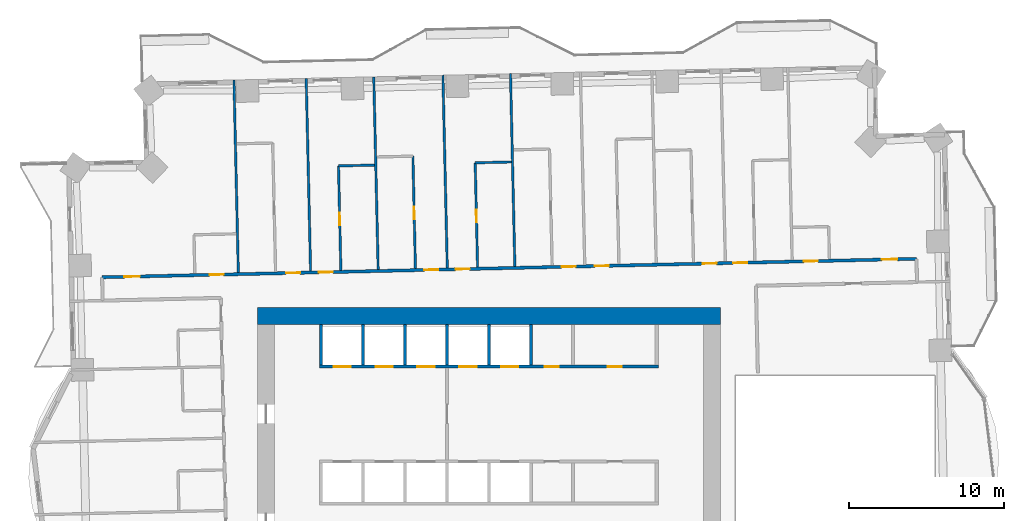
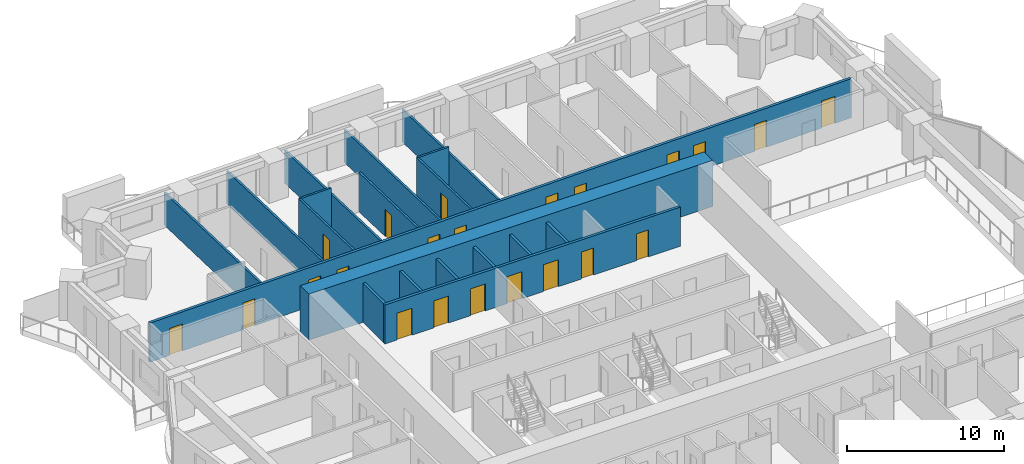
# One storey, part 11 of 17: 22 doors, 19 walls, 22 openings.
"""IFC4 building model written with IfcOpenShell, lengths in metres."""

from ifc_helpers import new_model, si_unit, direction, frame, frame_2d, origin, place, context, subcontext, project, spatial, rectangle, extrude, material, layer, layer_set, type_object, element, fill, save


model = new_model("IFC4")

# Units and contexts
model_context = context("Model", 3, precision=1e-05, world=origin(), true_north=direction((0.0, 1.0)))
body_context = subcontext(model_context, "Body", "Model", "MODEL_VIEW")
ifc_project = project(units=[si_unit("LENGTHUNIT", "METRE"), si_unit("AREAUNIT", "SQUARE_METRE"), si_unit("VOLUMEUNIT", "CUBIC_METRE"), si_unit("PLANEANGLEUNIT", "RADIAN"), si_unit("MASSUNIT", "GRAM", prefix="KILO")], contexts=[model_context])

# Site, building, storey
site_placement = place(None, origin())
site = spatial("IfcSite", under=ifc_project, at=site_placement, CompositionType="ELEMENT")
building_placement = place(site_placement, origin())
building = spatial("IfcBuilding", under=site, at=building_placement, Name="Mangrove Gate Tower", CompositionType="ELEMENT")
storey_placement = place(building_placement, frame((0.0, 0.0, 82.89990234375)))
storey = spatial("IfcBuildingStorey", under=building, at=storey_placement, Name="L20", CompositionType="ELEMENT", Elevation=82.89990234375)

# Wall, openings, doors
ifc_material_1 = material(Name="Concrete C70/85", Category="concrete")
ifc_layer_1 = layer(ifc_material_1, 0.199951171875)
ifc_layer_set_1 = layer_set([ifc_layer_1], Name="Core shaft wall 200 C70/85")
wall_type_1 = type_object("IfcWallType", Name="Core shaft wall 200 C70/85", PredefinedType="SHEAR", material=ifc_layer_set_1)
wall_1_placement = place(storey_placement, frame((-10.89990234375, 8.10009765625, 0.0), z_axis=(0.0, 0.0, 1.0), x_axis=(1.0, 0.0, 0.0)))
wall_1 = element("IfcWall", 1, at=wall_1_placement, inside=storey, type_object=wall_type_1, Name="WALL-L20-CORE-8", PredefinedType="SHEAR", context=body_context, shape_type="SweptSolid", body=[
    extrude(rectangle(XDim=21.7998046875, YDim=0.199951171875, at=frame_2d((10.89990234375, 0.0))), origin(), (0.0, 0.0, 1.0), 3.050048828125),
])
opening_1_placement = place(wall_1_placement, frame((0.89990234375, 0.0, 0.0)))
opening_1 = element("IfcOpeningElement", 2, at=opening_1_placement, cuts=wall_1, Name="Opening LD", PredefinedType="OPENING", context=body_context, shape_type="SweptSolid", body=[
    extrude(rectangle(XDim=1.10009765625, YDim=2.10009765625, at=frame_2d((0.550048828125, 1.050048828125))), frame((0.0, 0.10986328125, 0.0), z_axis=(0.0, -1.0, 0.0), x_axis=(1.0, 0.0, 0.0)), (0.0, 0.0, 1.0), 0.219970703125),
])
opening_2_placement = place(wall_1_placement, frame((3.60009765625, 0.0, 0.0)))
opening_2 = element("IfcOpeningElement", 3, at=opening_2_placement, cuts=wall_1, Name="Opening LD", PredefinedType="OPENING", context=body_context, shape_type="SweptSolid", body=[
    extrude(rectangle(XDim=1.10009765625, YDim=2.10009765625, at=frame_2d((0.550048828125, 1.050048828125))), frame((0.0, 0.10986328125, 0.0), z_axis=(0.0, -1.0, 0.0), x_axis=(1.0, 0.0, 0.0)), (0.0, 0.0, 1.0), 0.219970703125),
])
opening_3_placement = place(wall_1_placement, frame((6.300048828125, 0.0, 0.0)))
opening_3 = element("IfcOpeningElement", 4, at=opening_3_placement, cuts=wall_1, Name="Opening LD", PredefinedType="OPENING", context=body_context, shape_type="SweptSolid", body=[
    extrude(rectangle(XDim=1.10009765625, YDim=2.10009765625, at=frame_2d((0.550048828125, 1.050048828125))), frame((0.0, 0.10986328125, 0.0), z_axis=(0.0, -1.0, 0.0), x_axis=(1.0, 0.0, 0.0)), (0.0, 0.0, 1.0), 0.219970703125),
])
opening_4_placement = place(wall_1_placement, frame((9.0, 0.0, 0.0)))
opening_4 = element("IfcOpeningElement", 5, at=opening_4_placement, cuts=wall_1, Name="Opening LD", PredefinedType="OPENING", context=body_context, shape_type="SweptSolid", body=[
    extrude(rectangle(XDim=1.10009765625, YDim=2.10009765625, at=frame_2d((0.550048828125, 1.050048828125))), frame((0.0, 0.10986328125, 0.0), z_axis=(0.0, -1.0, 0.0), x_axis=(1.0, 0.0, 0.0)), (0.0, 0.0, 1.0), 0.219970703125),
])
opening_5_placement = place(wall_1_placement, frame((11.699951171875, 0.0, 0.0)))
opening_5 = element("IfcOpeningElement", 6, at=opening_5_placement, cuts=wall_1, Name="Opening LD", PredefinedType="OPENING", context=body_context, shape_type="SweptSolid", body=[
    extrude(rectangle(XDim=1.10009765625, YDim=2.10009765625, at=frame_2d((0.550048828125, 1.050048828125))), frame((0.0, 0.10986328125, 0.0), z_axis=(0.0, -1.0, 0.0), x_axis=(1.0, 0.0, 0.0)), (0.0, 0.0, 1.0), 0.219970703125),
])
opening_6_placement = place(wall_1_placement, frame((14.5, 0.0, 0.0)))
opening_6 = element("IfcOpeningElement", 7, at=opening_6_placement, cuts=wall_1, Name="Opening KD", PredefinedType="OPENING", context=body_context, shape_type="SweptSolid", body=[
    extrude(rectangle(XDim=0.89990234375, YDim=2.10009765625, at=frame_2d((0.449951171875, 1.050048828125))), frame((0.0, 0.10986328125, 0.0), z_axis=(0.0, -1.0, 0.0), x_axis=(1.0, 0.0, 0.0)), (0.0, 0.0, 1.0), 0.219970703125),
])
opening_7_placement = place(wall_1_placement, frame((18.550048828125, 0.0, 0.0)))
opening_7 = element("IfcOpeningElement", 8, at=opening_7_placement, cuts=wall_1, Name="Opening RD", PredefinedType="OPENING", context=body_context, shape_type="SweptSolid", body=[
    extrude(rectangle(XDim=0.89990234375, YDim=2.10009765625, at=frame_2d((0.449951171875, 1.050048828125))), frame((0.0, 0.10986328125, 0.0), z_axis=(0.0, -1.0, 0.0), x_axis=(1.0, 0.0, 0.0)), (0.0, 0.0, 1.0), 0.219970703125),
])
ifc_material_2 = material(Name="Fire-rated steel door set", Category="steel")
door_type_1 = type_object("IfcDoorType", Name="Core room door FD30S 900x2100", OperationType="SINGLE_SWING_RIGHT", PredefinedType="DOOR", material=ifc_material_2)
door_1_placement = place(opening_6_placement, origin())
door_1 = element("IfcDoor", 9, at=door_1_placement, inside=storey, type_object=door_type_1, Name="Core room door Linen store", OperationType="SINGLE_SWING_RIGHT", OverallHeight=2.10009765625, OverallWidth=0.89990234375, PredefinedType="DOOR", context=body_context, shape_type="SweptSolid", body=[
    extrude(rectangle(XDim=0.89990234375, YDim=2.10009765625, at=frame_2d((0.449951171875, 1.050048828125))), frame((0.0, 0.02490234375, 0.0), z_axis=(0.0, -1.0, 0.0), x_axis=(1.0, 0.0, 0.0)), (0.0, 0.0, 1.0), 0.050048828125),
])
fill(opening_6, door_1)
ifc_material_3 = material(Name="Stainless steel 316", Category="steel")
door_type_2 = type_object("IfcDoorType", Name="Lift landing door 1100x2100", OperationType="SLIDING_TO_LEFT", PredefinedType="DOOR", material=ifc_material_3)
door_2_placement = place(opening_1_placement, origin())
door_2 = element("IfcDoor", 10, at=door_2_placement, inside=storey, type_object=door_type_2, Name="Landing door LD P06", OperationType="SLIDING_TO_LEFT", OverallHeight=2.10009765625, OverallWidth=1.10009765625, PredefinedType="DOOR", context=body_context, shape_type="SweptSolid", body=[
    extrude(rectangle(XDim=1.10009765625, YDim=2.10009765625, at=frame_2d((0.550048828125, 1.050048828125))), frame((0.0, 0.02490234375, 0.0), z_axis=(0.0, -1.0, 0.0), x_axis=(1.0, 0.0, 0.0)), (0.0, 0.0, 1.0), 0.050048828125),
])
fill(opening_1, door_2)
door_3_placement = place(opening_2_placement, origin())
door_3 = element("IfcDoor", 11, at=door_3_placement, inside=storey, type_object=door_type_2, Name="Landing door LD P07", OperationType="SLIDING_TO_LEFT", OverallHeight=2.10009765625, OverallWidth=1.10009765625, PredefinedType="DOOR", context=body_context, shape_type="SweptSolid", body=[
    extrude(rectangle(XDim=1.10009765625, YDim=2.10009765625, at=frame_2d((0.550048828125, 1.050048828125))), frame((0.0, 0.02490234375, 0.0), z_axis=(0.0, -1.0, 0.0), x_axis=(1.0, 0.0, 0.0)), (0.0, 0.0, 1.0), 0.050048828125),
])
fill(opening_2, door_3)
door_4_placement = place(opening_3_placement, origin())
door_4 = element("IfcDoor", 12, at=door_4_placement, inside=storey, type_object=door_type_2, Name="Landing door LD P08", OperationType="SLIDING_TO_LEFT", OverallHeight=2.10009765625, OverallWidth=1.10009765625, PredefinedType="DOOR", context=body_context, shape_type="SweptSolid", body=[
    extrude(rectangle(XDim=1.10009765625, YDim=2.10009765625, at=frame_2d((0.550048828125, 1.050048828125))), frame((0.0, 0.02490234375, 0.0), z_axis=(0.0, -1.0, 0.0), x_axis=(1.0, 0.0, 0.0)), (0.0, 0.0, 1.0), 0.050048828125),
])
fill(opening_3, door_4)
door_5_placement = place(opening_4_placement, origin())
door_5 = element("IfcDoor", 13, at=door_5_placement, inside=storey, type_object=door_type_2, Name="Landing door LD P09", OperationType="SLIDING_TO_LEFT", OverallHeight=2.10009765625, OverallWidth=1.10009765625, PredefinedType="DOOR", context=body_context, shape_type="SweptSolid", body=[
    extrude(rectangle(XDim=1.10009765625, YDim=2.10009765625, at=frame_2d((0.550048828125, 1.050048828125))), frame((0.0, 0.02490234375, 0.0), z_axis=(0.0, -1.0, 0.0), x_axis=(1.0, 0.0, 0.0)), (0.0, 0.0, 1.0), 0.050048828125),
])
fill(opening_4, door_5)
door_6_placement = place(opening_5_placement, origin())
door_6 = element("IfcDoor", 14, at=door_6_placement, inside=storey, type_object=door_type_2, Name="Landing door LD P10", OperationType="SLIDING_TO_LEFT", OverallHeight=2.10009765625, OverallWidth=1.10009765625, PredefinedType="DOOR", context=body_context, shape_type="SweptSolid", body=[
    extrude(rectangle(XDim=1.10009765625, YDim=2.10009765625, at=frame_2d((0.550048828125, 1.050048828125))), frame((0.0, 0.02490234375, 0.0), z_axis=(0.0, -1.0, 0.0), x_axis=(1.0, 0.0, 0.0)), (0.0, 0.0, 1.0), 0.050048828125),
])
fill(opening_5, door_6)
ifc_material_4 = material(Name="Fire-rated steel door set", Category="steel")
door_type_3 = type_object("IfcDoorType", Name="Riser door FD30S 900x2100", OperationType="SINGLE_SWING_LEFT", PredefinedType="DOOR", material=ifc_material_4)
door_7_placement = place(opening_7_placement, origin())
door_7 = element("IfcDoor", 15, at=door_7_placement, inside=storey, type_object=door_type_3, Name="Riser door Switch room", OperationType="SINGLE_SWING_LEFT", OverallHeight=2.10009765625, OverallWidth=0.89990234375, PredefinedType="DOOR", context=body_context, shape_type="SweptSolid", body=[
    extrude(rectangle(XDim=0.89990234375, YDim=2.10009765625, at=frame_2d((0.449951171875, 1.050048828125))), frame((0.0, 0.02490234375, 0.0), z_axis=(0.0, -1.0, 0.0), x_axis=(1.0, 0.0, 0.0)), (0.0, 0.0, 1.0), 0.050048828125),
])
fill(opening_7, door_7)

# Walls
for number, where, z_axis, x_axis, name in (
    (16, (-10.800048828125, 8.199951171875, 0.0), (0.0, 0.0, 1.0), (0.0, 1.0, 0.0), "WALL-L20-CORE-27"),
    (17, (-8.10009765625, 8.199951171875, 0.0), (0.0, 0.0, 1.0), (0.0, 1.0, 0.0), "WALL-L20-CORE-28"),
    (18, (-5.39990234375, 8.199951171875, 0.0), (0.0, 0.0, 1.0), (0.0, 1.0, 0.0), "WALL-L20-CORE-29"),
    (19, (-2.699951171875, 8.199951171875, 0.0), (0.0, 0.0, 1.0), (0.0, 1.0, 0.0), "WALL-L20-CORE-30"),
    (20, (0.0, 8.199951171875, 0.0), (0.0, 0.0, 1.0), (0.0, 1.0, 0.0), "WALL-L20-CORE-31"),
    (21, (2.699951171875, 8.199951171875, 0.0), (0.0, 0.0, 1.0), (0.0, 1.0, 0.0), "WALL-L20-CORE-32"),
):
    element("IfcWall", number, at=place(storey_placement, frame(where, z_axis=z_axis, x_axis=x_axis)), inside=storey, type_object=wall_type_1, Name=name, PredefinedType="SHEAR", context=body_context, shape_type="SweptSolid", body=[
        extrude(rectangle(XDim=2.60009765625, YDim=0.199951171875, at=frame_2d((1.300048828125, 0.0))), origin(), (0.0, 0.0, 1.0), 3.050048828125),
    ])
ifc_material_5 = material(Name="Concrete C70/85", Category="concrete")
ifc_layer_2 = layer(ifc_material_5, 1.10009765625)
ifc_layer_set_2 = layer_set([ifc_layer_2], Name="Core wall 1100 C70/85")
wall_type_2 = type_object("IfcWallType", Name="Core wall 1100 C70/85", PredefinedType="SHEAR", material=ifc_layer_set_2)
wall_2_placement = place(storey_placement, frame((-14.89990234375, 11.35009765625, 0.0), z_axis=(0.0, 0.0, 1.0), x_axis=(1.0, 0.0, 0.0)))
element("IfcWall", 22, at=wall_2_placement, inside=storey, type_object=wall_type_2, Name="WALL-L20-CORE-2", PredefinedType="SHEAR", context=body_context, shape_type="SweptSolid", body=[
    extrude(rectangle(XDim=29.7998046875, YDim=1.10009765625, at=frame_2d((14.89990234375, 0.0))), origin(), (0.0, 0.0, 1.0), 3.60009765625),
])

# Wall, openings, doors
ifc_material_6 = material(Name="Gypsum board on steel stud, EI 60", Category="steel")
ifc_layer_3 = layer(ifc_material_6, 0.199951171875)
ifc_layer_set_3 = layer_set([ifc_layer_3], Name="Corridor wall EI 60")
wall_type_3 = type_object("IfcWallType", Name="Corridor wall EI 60", PredefinedType="PARTITIONING", material=ifc_layer_set_3)
wall_3_placement = place(storey_placement, frame((-24.89501953125, 13.85205078125, 0.0), z_axis=(0.0, 0.0, 1.0), x_axis=(0.999742765181, 0.02268046447, 0.0)))
wall_3 = element("IfcWall", 23, at=wall_3_placement, inside=storey, type_object=wall_type_3, Name="WALL-L20-061", PredefinedType="PARTITIONING", context=body_context, shape_type="SweptSolid", body=[
    extrude(rectangle(XDim=52.42236328125, YDim=0.199951171875, at=frame_2d((26.211181640625, 0.0))), origin(), (0.0, 0.0, 1.0), 3.050048828125),
])
opening_8_placement = place(wall_3_placement, frame((50.18603515625, 0.0, 0.0)))
opening_8 = element("IfcOpeningElement", 24, at=opening_8_placement, cuts=wall_3, Name="Opening AD", PredefinedType="OPENING", context=body_context, shape_type="SweptSolid", body=[
    extrude(rectangle(XDim=1.0, YDim=2.10009765625, at=frame_2d((0.5, 1.050048828125))), frame((0.0, 0.10986328125, 0.0), z_axis=(0.0, -1.0, 0.0), x_axis=(1.0, 0.0, 0.0)), (0.0, 0.0, 1.0), 0.219970703125),
])
opening_9_placement = place(wall_3_placement, frame((45.175048828125, 0.0, 0.0)))
opening_9 = element("IfcOpeningElement", 25, at=opening_9_placement, cuts=wall_3, Name="Opening SD", PredefinedType="OPENING", context=body_context, shape_type="SweptSolid", body=[
    extrude(rectangle(XDim=0.89990234375, YDim=2.10009765625, at=frame_2d((0.449951171875, 1.050048828125))), frame((0.0, 0.10986328125, 0.0), z_axis=(0.0, -1.0, 0.0), x_axis=(1.0, 0.0, 0.0)), (0.0, 0.0, 1.0), 0.219970703125),
])
opening_10_placement = place(wall_3_placement, frame((40.625, 0.0, 0.0)))
opening_10 = element("IfcOpeningElement", 26, at=opening_10_placement, cuts=wall_3, Name="Opening BD", PredefinedType="OPENING", context=body_context, shape_type="SweptSolid", body=[
    extrude(rectangle(XDim=0.89990234375, YDim=2.10009765625, at=frame_2d((0.449951171875, 1.050048828125))), frame((0.0, 0.10986328125, 0.0), z_axis=(0.0, -1.0, 0.0), x_axis=(1.0, 0.0, 0.0)), (0.0, 0.0, 1.0), 0.219970703125),
])
opening_11_placement = place(wall_3_placement, frame((38.64990234375, 0.0, 0.0)))
opening_11 = element("IfcOpeningElement", 27, at=opening_11_placement, cuts=wall_3, Name="Opening BD", PredefinedType="OPENING", context=body_context, shape_type="SweptSolid", body=[
    extrude(rectangle(XDim=0.89990234375, YDim=2.10009765625, at=frame_2d((0.449951171875, 1.050048828125))), frame((0.0, 0.10986328125, 0.0), z_axis=(0.0, -1.0, 0.0), x_axis=(1.0, 0.0, 0.0)), (0.0, 0.0, 1.0), 0.219970703125),
])
opening_12_placement = place(wall_3_placement, frame((31.72509765625, 0.0, 0.0)))
opening_12 = element("IfcOpeningElement", 28, at=opening_12_placement, cuts=wall_3, Name="Opening BD", PredefinedType="OPENING", context=body_context, shape_type="SweptSolid", body=[
    extrude(rectangle(XDim=0.89990234375, YDim=2.10009765625, at=frame_2d((0.449951171875, 1.050048828125))), frame((0.0, 0.10986328125, 0.0), z_axis=(0.0, -1.0, 0.0), x_axis=(1.0, 0.0, 0.0)), (0.0, 0.0, 1.0), 0.219970703125),
])
opening_13_placement = place(wall_3_placement, frame((29.574951171875, 0.0, 0.0)))
opening_13 = element("IfcOpeningElement", 29, at=opening_13_placement, cuts=wall_3, Name="Opening BD", PredefinedType="OPENING", context=body_context, shape_type="SweptSolid", body=[
    extrude(rectangle(XDim=0.89990234375, YDim=2.10009765625, at=frame_2d((0.449951171875, 1.050048828125))), frame((0.0, 0.10986328125, 0.0), z_axis=(0.0, -1.0, 0.0), x_axis=(1.0, 0.0, 0.0)), (0.0, 0.0, 1.0), 0.219970703125),
])
opening_14_placement = place(wall_3_placement, frame((22.75, 0.0, 0.0)))
opening_14 = element("IfcOpeningElement", 30, at=opening_14_placement, cuts=wall_3, Name="Opening BD", PredefinedType="OPENING", context=body_context, shape_type="SweptSolid", body=[
    extrude(rectangle(XDim=0.89990234375, YDim=2.10009765625, at=frame_2d((0.449951171875, 1.050048828125))), frame((0.0, 0.10986328125, 0.0), z_axis=(0.0, -1.0, 0.0), x_axis=(1.0, 0.0, 0.0)), (0.0, 0.0, 1.0), 0.219970703125),
])
opening_15_placement = place(wall_3_placement, frame((20.75, 0.0, 0.0)))
opening_15 = element("IfcOpeningElement", 31, at=opening_15_placement, cuts=wall_3, Name="Opening BD", PredefinedType="OPENING", context=body_context, shape_type="SweptSolid", body=[
    extrude(rectangle(XDim=0.89990234375, YDim=2.10009765625, at=frame_2d((0.449951171875, 1.050048828125))), frame((0.0, 0.10986328125, 0.0), z_axis=(0.0, -1.0, 0.0), x_axis=(1.0, 0.0, 0.0)), (0.0, 0.0, 1.0), 0.219970703125),
])
opening_16_placement = place(wall_3_placement, frame((13.949951171875, 0.0, 0.0)))
opening_16 = element("IfcOpeningElement", 32, at=opening_16_placement, cuts=wall_3, Name="Opening BD", PredefinedType="OPENING", context=body_context, shape_type="SweptSolid", body=[
    extrude(rectangle(XDim=0.89990234375, YDim=2.10009765625, at=frame_2d((0.449951171875, 1.050048828125))), frame((0.0, 0.10986328125, 0.0), z_axis=(0.0, -1.0, 0.0), x_axis=(1.0, 0.0, 0.0)), (0.0, 0.0, 1.0), 0.219970703125),
])
opening_17_placement = place(wall_3_placement, frame((11.85009765625, 0.0, 0.0)))
opening_17 = element("IfcOpeningElement", 33, at=opening_17_placement, cuts=wall_3, Name="Opening BD", PredefinedType="OPENING", context=body_context, shape_type="SweptSolid", body=[
    extrude(rectangle(XDim=0.89990234375, YDim=2.10009765625, at=frame_2d((0.449951171875, 1.050048828125))), frame((0.0, 0.10986328125, 0.0), z_axis=(0.0, -1.0, 0.0), x_axis=(1.0, 0.0, 0.0)), (0.0, 0.0, 1.0), 0.219970703125),
])
opening_18_placement = place(wall_3_placement, frame((1.425048828125, 0.0, 0.0)))
opening_18 = element("IfcOpeningElement", 34, at=opening_18_placement, cuts=wall_3, Name="Opening AD", PredefinedType="OPENING", context=body_context, shape_type="SweptSolid", body=[
    extrude(rectangle(XDim=1.0, YDim=2.10009765625, at=frame_2d((0.5, 1.050048828125))), frame((0.0, 0.10986328125, 0.0), z_axis=(0.0, -1.0, 0.0), x_axis=(1.0, 0.0, 0.0)), (0.0, 0.0, 1.0), 0.219970703125),
])
opening_19_placement = place(wall_3_placement, frame((6.925048828125, 0.0, 0.0)))
opening_19 = element("IfcOpeningElement", 35, at=opening_19_placement, cuts=wall_3, Name="Opening SD", PredefinedType="OPENING", context=body_context, shape_type="SweptSolid", body=[
    extrude(rectangle(XDim=0.89990234375, YDim=2.10009765625, at=frame_2d((0.449951171875, 1.050048828125))), frame((0.0, 0.10986328125, 0.0), z_axis=(0.0, -1.0, 0.0), x_axis=(1.0, 0.0, 0.0)), (0.0, 0.0, 1.0), 0.219970703125),
])
ifc_material_7 = material(Name="Timber door leaf", Category="wood")
door_type_4 = type_object("IfcDoorType", Name="Amenity door 1000", OperationType="SINGLE_SWING_LEFT", PredefinedType="DOOR", material=ifc_material_7)
door_8_placement = place(opening_8_placement, origin())
door_8 = element("IfcDoor", 36, at=door_8_placement, inside=storey, type_object=door_type_4, Name="DOOR-L20-GAM-c3c", OperationType="SINGLE_SWING_LEFT", OverallHeight=2.10009765625, OverallWidth=1.0, PredefinedType="DOOR", context=body_context, shape_type="SweptSolid", body=[
    extrude(rectangle(XDim=1.0, YDim=2.10009765625, at=frame_2d((0.5, 1.050048828125))), frame((0.0, 0.02490234375, 0.0), z_axis=(0.0, -1.0, 0.0), x_axis=(1.0, 0.0, 0.0)), (0.0, 0.0, 1.0), 0.050048828125),
])
fill(opening_8, door_8)
door_9_placement = place(opening_18_placement, origin())
door_9 = element("IfcDoor", 37, at=door_9_placement, inside=storey, type_object=door_type_4, Name="DOOR-L20-GAM-c5a", OperationType="SINGLE_SWING_RIGHT", OverallHeight=2.10009765625, OverallWidth=1.0, PredefinedType="DOOR", context=body_context, shape_type="SweptSolid", body=[
    extrude(rectangle(XDim=1.0, YDim=2.10009765625, at=frame_2d((0.5, 1.050048828125))), frame((0.0, 0.02490234375, 0.0), z_axis=(0.0, -1.0, 0.0), x_axis=(1.0, 0.0, 0.0)), (0.0, 0.0, 1.0), 0.050048828125),
])
fill(opening_18, door_9)
ifc_material_8 = material(Name="Timber door leaf", Category="wood")
door_type_5 = type_object("IfcDoorType", Name="Bedroom door 900", OperationType="SINGLE_SWING_LEFT", PredefinedType="DOOR", material=ifc_material_8)
door_10_placement = place(opening_10_placement, origin())
door_10 = element("IfcDoor", 38, at=door_10_placement, inside=storey, type_object=door_type_5, Name="DOOR-L20-BED-c309", OperationType="SINGLE_SWING_LEFT", OverallHeight=2.10009765625, OverallWidth=0.89990234375, PredefinedType="DOOR", context=body_context, shape_type="SweptSolid", body=[
    extrude(rectangle(XDim=0.89990234375, YDim=2.10009765625, at=frame_2d((0.449951171875, 1.050048828125))), frame((0.0, 0.02490234375, 0.0), z_axis=(0.0, -1.0, 0.0), x_axis=(1.0, 0.0, 0.0)), (0.0, 0.0, 1.0), 0.050048828125),
])
fill(opening_10, door_10)
door_11_placement = place(opening_11_placement, origin())
door_11 = element("IfcDoor", 39, at=door_11_placement, inside=storey, type_object=door_type_5, Name="DOOR-L20-BED-c310", OperationType="SINGLE_SWING_RIGHT", OverallHeight=2.10009765625, OverallWidth=0.89990234375, PredefinedType="DOOR", context=body_context, shape_type="SweptSolid", body=[
    extrude(rectangle(XDim=0.89990234375, YDim=2.10009765625, at=frame_2d((0.449951171875, 1.050048828125))), frame((0.0, 0.02490234375, 0.0), z_axis=(0.0, -1.0, 0.0), x_axis=(1.0, 0.0, 0.0)), (0.0, 0.0, 1.0), 0.050048828125),
])
fill(opening_11, door_11)
door_12_placement = place(opening_12_placement, origin())
door_12 = element("IfcDoor", 40, at=door_12_placement, inside=storey, type_object=door_type_5, Name="DOOR-L20-BED-c411", OperationType="SINGLE_SWING_LEFT", OverallHeight=2.10009765625, OverallWidth=0.89990234375, PredefinedType="DOOR", context=body_context, shape_type="SweptSolid", body=[
    extrude(rectangle(XDim=0.89990234375, YDim=2.10009765625, at=frame_2d((0.449951171875, 1.050048828125))), frame((0.0, 0.02490234375, 0.0), z_axis=(0.0, -1.0, 0.0), x_axis=(1.0, 0.0, 0.0)), (0.0, 0.0, 1.0), 0.050048828125),
])
fill(opening_12, door_12)
door_13_placement = place(opening_13_placement, origin())
door_13 = element("IfcDoor", 41, at=door_13_placement, inside=storey, type_object=door_type_5, Name="DOOR-L20-BED-c412", OperationType="SINGLE_SWING_RIGHT", OverallHeight=2.10009765625, OverallWidth=0.89990234375, PredefinedType="DOOR", context=body_context, shape_type="SweptSolid", body=[
    extrude(rectangle(XDim=0.89990234375, YDim=2.10009765625, at=frame_2d((0.449951171875, 1.050048828125))), frame((0.0, 0.02490234375, 0.0), z_axis=(0.0, -1.0, 0.0), x_axis=(1.0, 0.0, 0.0)), (0.0, 0.0, 1.0), 0.050048828125),
])
fill(opening_13, door_13)
door_14_placement = place(opening_14_placement, origin())
door_14 = element("IfcDoor", 42, at=door_14_placement, inside=storey, type_object=door_type_5, Name="DOOR-L20-BED-c413", OperationType="SINGLE_SWING_LEFT", OverallHeight=2.10009765625, OverallWidth=0.89990234375, PredefinedType="DOOR", context=body_context, shape_type="SweptSolid", body=[
    extrude(rectangle(XDim=0.89990234375, YDim=2.10009765625, at=frame_2d((0.449951171875, 1.050048828125))), frame((0.0, 0.02490234375, 0.0), z_axis=(0.0, -1.0, 0.0), x_axis=(1.0, 0.0, 0.0)), (0.0, 0.0, 1.0), 0.050048828125),
])
fill(opening_14, door_14)
door_15_placement = place(opening_15_placement, origin())
door_15 = element("IfcDoor", 43, at=door_15_placement, inside=storey, type_object=door_type_5, Name="DOOR-L20-BED-c514", OperationType="SINGLE_SWING_RIGHT", OverallHeight=2.10009765625, OverallWidth=0.89990234375, PredefinedType="DOOR", context=body_context, shape_type="SweptSolid", body=[
    extrude(rectangle(XDim=0.89990234375, YDim=2.10009765625, at=frame_2d((0.449951171875, 1.050048828125))), frame((0.0, 0.02490234375, 0.0), z_axis=(0.0, -1.0, 0.0), x_axis=(1.0, 0.0, 0.0)), (0.0, 0.0, 1.0), 0.050048828125),
])
fill(opening_15, door_15)
door_16_placement = place(opening_16_placement, origin())
door_16 = element("IfcDoor", 44, at=door_16_placement, inside=storey, type_object=door_type_5, Name="DOOR-L20-BED-c515", OperationType="SINGLE_SWING_LEFT", OverallHeight=2.10009765625, OverallWidth=0.89990234375, PredefinedType="DOOR", context=body_context, shape_type="SweptSolid", body=[
    extrude(rectangle(XDim=0.89990234375, YDim=2.10009765625, at=frame_2d((0.449951171875, 1.050048828125))), frame((0.0, 0.02490234375, 0.0), z_axis=(0.0, -1.0, 0.0), x_axis=(1.0, 0.0, 0.0)), (0.0, 0.0, 1.0), 0.050048828125),
])
fill(opening_16, door_16)
door_17_placement = place(opening_17_placement, origin())
door_17 = element("IfcDoor", 45, at=door_17_placement, inside=storey, type_object=door_type_5, Name="DOOR-L20-BED-c516", OperationType="SINGLE_SWING_RIGHT", OverallHeight=2.10009765625, OverallWidth=0.89990234375, PredefinedType="DOOR", context=body_context, shape_type="SweptSolid", body=[
    extrude(rectangle(XDim=0.89990234375, YDim=2.10009765625, at=frame_2d((0.449951171875, 1.050048828125))), frame((0.0, 0.02490234375, 0.0), z_axis=(0.0, -1.0, 0.0), x_axis=(1.0, 0.0, 0.0)), (0.0, 0.0, 1.0), 0.050048828125),
])
fill(opening_17, door_17)
ifc_material_9 = material(Name="Timber door leaf", Category="wood")
door_type_6 = type_object("IfcDoorType", Name="Service room door 900", OperationType="SINGLE_SWING_LEFT", PredefinedType="DOOR", material=ifc_material_9)
door_18_placement = place(opening_9_placement, origin())
door_18 = element("IfcDoor", 46, at=door_18_placement, inside=storey, type_object=door_type_6, Name="DOOR-L20-LIN-c3a", OperationType="SINGLE_SWING_LEFT", OverallHeight=2.10009765625, OverallWidth=0.89990234375, PredefinedType="DOOR", context=body_context, shape_type="SweptSolid", body=[
    extrude(rectangle(XDim=0.89990234375, YDim=2.10009765625, at=frame_2d((0.449951171875, 1.050048828125))), frame((0.0, 0.02490234375, 0.0), z_axis=(0.0, -1.0, 0.0), x_axis=(1.0, 0.0, 0.0)), (0.0, 0.0, 1.0), 0.050048828125),
])
fill(opening_9, door_18)
door_19_placement = place(opening_19_placement, origin())
door_19 = element("IfcDoor", 47, at=door_19_placement, inside=storey, type_object=door_type_6, Name="DOOR-L20-LDY-c5a", OperationType="SINGLE_SWING_RIGHT", OverallHeight=2.10009765625, OverallWidth=0.89990234375, PredefinedType="DOOR", context=body_context, shape_type="SweptSolid", body=[
    extrude(rectangle(XDim=0.89990234375, YDim=2.10009765625, at=frame_2d((0.449951171875, 1.050048828125))), frame((0.0, 0.02490234375, 0.0), z_axis=(0.0, -1.0, 0.0), x_axis=(1.0, 0.0, 0.0)), (0.0, 0.0, 1.0), 0.050048828125),
])
fill(opening_19, door_19)

# Walls
ifc_material_10 = material(Name="Gypsum board on steel stud, EI 60", Category="steel")
ifc_layer_4 = layer(ifc_material_10, 0.14990234375)
ifc_layer_set_4 = layer_set([ifc_layer_4], Name="Party wall 150 EI 60")
wall_type_4 = type_object("IfcWallType", Name="Party wall 150 EI 60", PredefinedType="PARTITIONING", material=ifc_layer_set_4)
wall_4_placement = place(storey_placement, frame((-16.1279296875, 14.15087890625, 0.0), z_axis=(0.0, 0.0, 1.0), x_axis=(-0.022739741597, 0.999741418644, 0.0)))
element("IfcWall", 48, at=wall_4_placement, inside=storey, type_object=wall_type_4, Name="WALL-L20-063", PredefinedType="PARTITIONING", context=body_context, shape_type="SweptSolid", body=[
    extrude(rectangle(XDim=12.400390625, YDim=0.14990234375, at=frame_2d((6.2001953125, 0.0))), origin(), (0.0, 0.0, 1.0), 2.550048828125),
])
wall_5_placement = place(storey_placement, frame((-11.47900390625, 14.257080078125, 0.0), z_axis=(0.0, 0.0, 1.0), x_axis=(-0.022741979748, 0.999741367733, 0.0)))
element("IfcWall", 49, at=wall_5_placement, inside=storey, type_object=wall_type_4, Name="WALL-L20-065", PredefinedType="PARTITIONING", context=body_context, shape_type="SweptSolid", body=[
    extrude(rectangle(XDim=12.399169921875, YDim=0.14990234375, at=frame_2d((6.19970703125, 0.0))), origin(), (0.0, 0.0, 1.0), 2.550048828125),
])

# Wall, opening, door
wall_6_placement = place(storey_placement, frame((-9.530029296875, 14.301025390625, 0.0), z_axis=(0.0, 0.0, 1.0), x_axis=(-0.022598435707, 0.999744622743, 0.0)))
wall_6 = element("IfcWall", 50, at=wall_6_placement, inside=storey, type_object=wall_type_4, Name="WALL-L20-066", PredefinedType="PARTITIONING", context=body_context, shape_type="SweptSolid", body=[
    extrude(rectangle(XDim=6.7197265625, YDim=0.14990234375, at=frame_2d((3.35986328125, 0.0))), origin(), (0.0, 0.0, 1.0), 3.050048828125),
])
opening_20_placement = place(wall_6_placement, frame((2.909912109375, 0.0, 0.0)))
opening_20 = element("IfcOpeningElement", 51, at=opening_20_placement, cuts=wall_6, Name="Opening ED", PredefinedType="OPENING", context=body_context, shape_type="SweptSolid", body=[
    extrude(rectangle(XDim=0.800048828125, YDim=2.10009765625, at=frame_2d((0.39990234375, 1.050048828125))), frame((0.0, 0.0849609375, 0.0), z_axis=(0.0, -1.0, 0.0), x_axis=(1.0, 0.0, 0.0)), (0.0, 0.0, 1.0), 0.169921875),
])
ifc_material_11 = material(Name="Timber door leaf", Category="wood")
door_type_7 = type_object("IfcDoorType", Name="En-suite door 800", OperationType="SINGLE_SWING_LEFT", PredefinedType="DOOR", material=ifc_material_11)
door_20_placement = place(opening_20_placement, origin())
door_20 = element("IfcDoor", 52, at=door_20_placement, inside=storey, type_object=door_type_7, Name="DOOR-L20-ENS-c515", OperationType="SINGLE_SWING_LEFT", OverallHeight=2.10009765625, OverallWidth=0.800048828125, PredefinedType="DOOR", context=body_context, shape_type="SweptSolid", body=[
    extrude(rectangle(XDim=0.800048828125, YDim=2.10009765625, at=frame_2d((0.39990234375, 1.050048828125))), frame((0.0, 0.02490234375, 0.0), z_axis=(0.0, -1.0, 0.0), x_axis=(1.0, 0.0, 0.0)), (0.0, 0.0, 1.0), 0.050048828125),
])
fill(opening_20, door_20)

# Wall
wall_7_placement = place(storey_placement, frame((-7.1298828125, 14.35498046875, 0.0), z_axis=(0.0, 0.0, 1.0), x_axis=(-0.022759867473, 0.999740960666, 0.0)))
element("IfcWall", 53, at=wall_7_placement, inside=storey, type_object=wall_type_4, Name="WALL-L20-067", PredefinedType="PARTITIONING", context=body_context, shape_type="SweptSolid", body=[
    extrude(rectangle(XDim=12.400146484375, YDim=0.14990234375, at=frame_2d((6.2001953125, 0.0))), origin(), (0.0, 0.0, 1.0), 2.550048828125),
])

# Wall, opening, door
wall_8_placement = place(storey_placement, frame((-4.73095703125, 14.409912109375, 0.0), z_axis=(0.0, 0.0, 1.0), x_axis=(-0.022660891034, 0.999743209038, 0.0)))
wall_8 = element("IfcWall", 54, at=wall_8_placement, inside=storey, type_object=wall_type_4, Name="WALL-L20-068", PredefinedType="PARTITIONING", context=body_context, shape_type="SweptSolid", body=[
    extrude(rectangle(XDim=7.239990234375, YDim=0.14990234375, at=frame_2d((3.6201171875, 0.0))), origin(), (0.0, 0.0, 1.0), 3.050048828125),
])
opening_21_placement = place(wall_8_placement, frame((3.169921875, 0.0, 0.0)))
opening_21 = element("IfcOpeningElement", 55, at=opening_21_placement, cuts=wall_8, Name="Opening ED", PredefinedType="OPENING", context=body_context, shape_type="SweptSolid", body=[
    extrude(rectangle(XDim=0.800048828125, YDim=2.10009765625, at=frame_2d((0.39990234375, 1.050048828125))), frame((0.0, 0.0849609375, 0.0), z_axis=(0.0, -1.0, 0.0), x_axis=(1.0, 0.0, 0.0)), (0.0, 0.0, 1.0), 0.169921875),
])
door_21_placement = place(opening_21_placement, origin())
door_21 = element("IfcDoor", 56, at=door_21_placement, inside=storey, type_object=door_type_7, Name="DOOR-L20-ENS-c514", OperationType="SINGLE_SWING_RIGHT", OverallHeight=2.10009765625, OverallWidth=0.800048828125, PredefinedType="DOOR", context=body_context, shape_type="SweptSolid", body=[
    extrude(rectangle(XDim=0.800048828125, YDim=2.10009765625, at=frame_2d((0.39990234375, 1.050048828125))), frame((0.0, 0.02490234375, 0.0), z_axis=(0.0, -1.0, 0.0), x_axis=(1.0, 0.0, 0.0)), (0.0, 0.0, 1.0), 0.050048828125),
])
fill(opening_21, door_21)

# Wall
wall_9_placement = place(storey_placement, frame((-2.681884765625, 14.4560546875, 0.0), z_axis=(0.0, 0.0, 1.0), x_axis=(-0.022661475803, 0.999743195783, 0.0)))
element("IfcWall", 57, at=wall_9_placement, inside=storey, type_object=wall_type_4, Name="WALL-L20-069", PredefinedType="PARTITIONING", context=body_context, shape_type="SweptSolid", body=[
    extrude(rectangle(XDim=12.400146484375, YDim=0.14990234375, at=frame_2d((6.2001953125, 0.0))), origin(), (0.0, 0.0, 1.0), 2.550048828125),
])

# Wall, opening, door
wall_10_placement = place(storey_placement, frame((-0.73193359375, 14.5, 0.0), z_axis=(0.0, 0.0, 1.0), x_axis=(-0.022776692057, 0.999740577499, 0.0)))
wall_10 = element("IfcWall", 58, at=wall_10_placement, inside=storey, type_object=wall_type_4, Name="WALL-L20-070", PredefinedType="PARTITIONING", context=body_context, shape_type="SweptSolid", body=[
    extrude(rectangle(XDim=6.720703125, YDim=0.14990234375, at=frame_2d((3.3603515625, 0.0))), origin(), (0.0, 0.0, 1.0), 3.050048828125),
])
opening_22_placement = place(wall_10_placement, frame((2.909912109375, 0.0, 0.0)))
opening_22 = element("IfcOpeningElement", 59, at=opening_22_placement, cuts=wall_10, Name="Opening ED", PredefinedType="OPENING", context=body_context, shape_type="SweptSolid", body=[
    extrude(rectangle(XDim=0.800048828125, YDim=2.10009765625, at=frame_2d((0.39990234375, 1.050048828125))), frame((0.0, 0.0849609375, 0.0), z_axis=(0.0, -1.0, 0.0), x_axis=(1.0, 0.0, 0.0)), (0.0, 0.0, 1.0), 0.169921875),
])
door_22_placement = place(opening_22_placement, origin())
door_22 = element("IfcDoor", 60, at=door_22_placement, inside=storey, type_object=door_type_7, Name="DOOR-L20-ENS-c413", OperationType="SINGLE_SWING_LEFT", OverallHeight=2.10009765625, OverallWidth=0.800048828125, PredefinedType="DOOR", context=body_context, shape_type="SweptSolid", body=[
    extrude(rectangle(XDim=0.800048828125, YDim=2.10009765625, at=frame_2d((0.39990234375, 1.050048828125))), frame((0.0, 0.02490234375, 0.0), z_axis=(0.0, -1.0, 0.0), x_axis=(1.0, 0.0, 0.0)), (0.0, 0.0, 1.0), 0.050048828125),
])
fill(opening_22, door_22)

# Walls
wall_11_placement = place(storey_placement, frame((1.6669921875, 14.554931640625, 0.0), z_axis=(0.0, 0.0, 1.0), x_axis=(-0.022661475803, 0.999743195783, 0.0)))
element("IfcWall", 61, at=wall_11_placement, inside=storey, type_object=wall_type_4, Name="WALL-L20-071", PredefinedType="PARTITIONING", context=body_context, shape_type="SweptSolid", body=[
    extrude(rectangle(XDim=12.400146484375, YDim=0.14990234375, at=frame_2d((6.2001953125, 0.0))), origin(), (0.0, 0.0, 1.0), 2.550048828125),
])
wall_12_placement = place(storey_placement, frame((-9.677978515625, 21.01904296875, 0.0), z_axis=(0.0, 0.0, 1.0), x_axis=(0.999740260747, 0.02279059109, 0.0)))
element("IfcWall", 62, at=wall_12_placement, inside=storey, type_object=wall_type_4, Name="WALL-L20-084", PredefinedType="PARTITIONING", context=body_context, shape_type="SweptSolid", body=[
    extrude(rectangle(XDim=2.324462890625, YDim=0.14990234375, at=frame_2d((1.162109375, 0.0))), origin(), (0.0, 0.0, 1.0), 3.050048828125),
])
wall_13_placement = place(storey_placement, frame((-0.881103515625, 21.218994140625, 0.0), z_axis=(0.0, 0.0, 1.0), x_axis=(0.99974053329, 0.022778632478, 0.0)))
element("IfcWall", 63, at=wall_13_placement, inside=storey, type_object=wall_type_4, Name="WALL-L20-085", PredefinedType="PARTITIONING", context=body_context, shape_type="SweptSolid", body=[
    extrude(rectangle(XDim=2.32568359375, YDim=0.14990234375, at=frame_2d((1.162841796875, 0.0))), origin(), (0.0, 0.0, 1.0), 3.050048828125),
])

save(model, "model.ifc")
